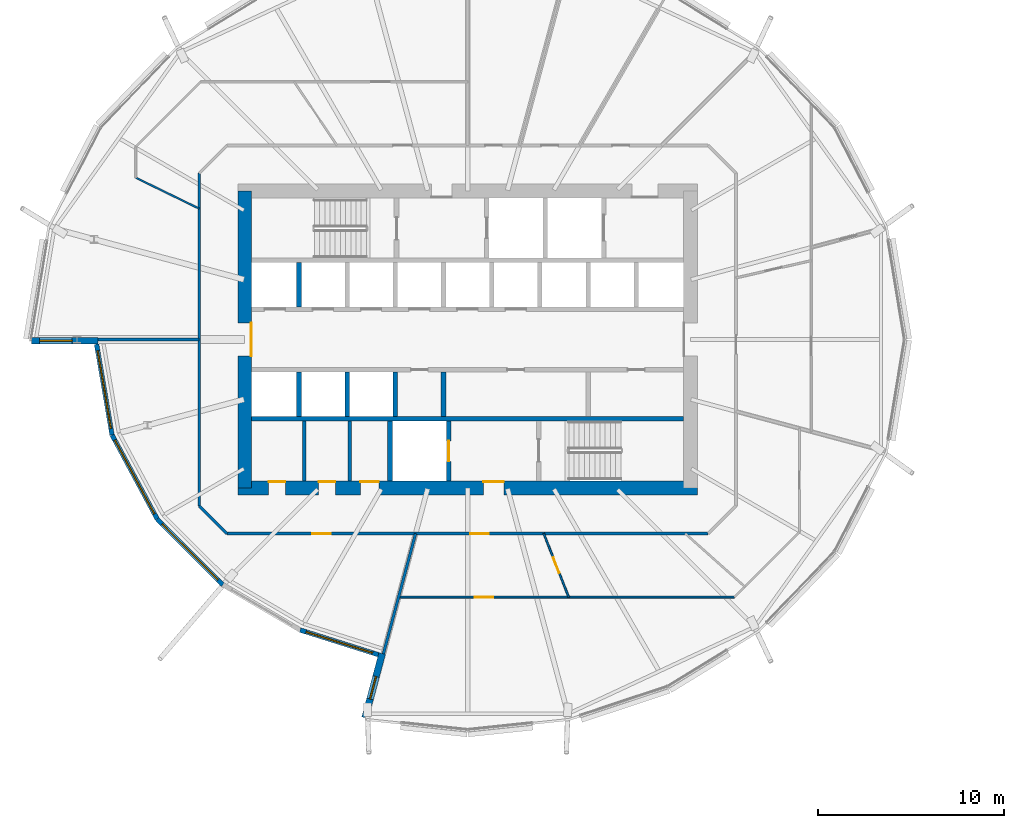
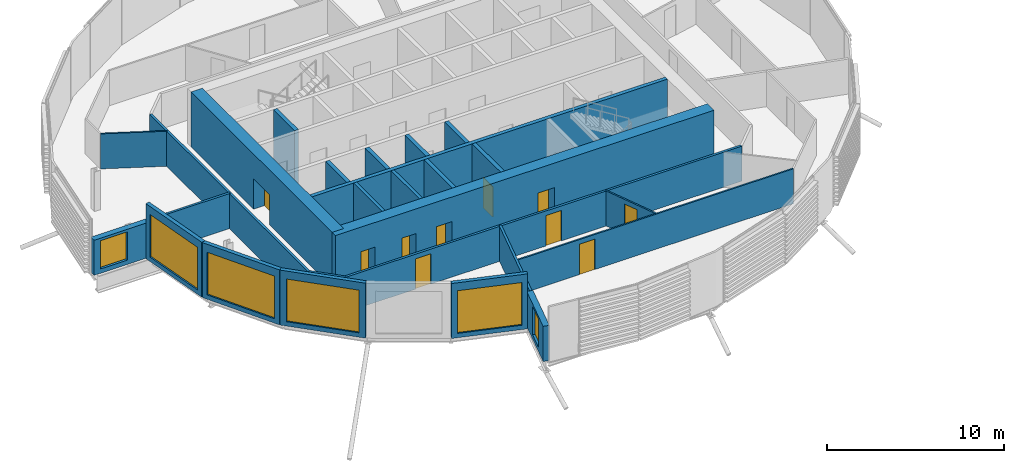
# One storey, part 20 of 39: 26 walls, 10 doors, 6 windows, 16 openings.
"""IFC4 building model written with IfcOpenShell, lengths in metres."""

from ifc_helpers import new_model, si_unit, direction, frame, frame_2d, origin, place, context, subcontext, project, spatial, rectangle, extrude, material, layer, layer_set, type_object, element, fill, save


model = new_model("IFC4")

# Units and contexts
model_context = context("Model", 3, precision=1e-05, world=origin(), true_north=direction((0.0, 1.0)))
body_context = subcontext(model_context, "Body", "Model", "MODEL_VIEW")
ifc_project = project(units=[si_unit("LENGTHUNIT", "METRE"), si_unit("AREAUNIT", "SQUARE_METRE"), si_unit("VOLUMEUNIT", "CUBIC_METRE"), si_unit("PLANEANGLEUNIT", "RADIAN"), si_unit("MASSUNIT", "GRAM", prefix="KILO")], contexts=[model_context])

# Site, building, storey
site_placement = place(None, origin())
site = spatial("IfcSite", under=ifc_project, at=site_placement, CompositionType="ELEMENT")
building_placement = place(site_placement, origin())
building = spatial("IfcBuilding", under=site, at=building_placement, Name="Rimbun Link Towers", CompositionType="ELEMENT")
storey_placement = place(building_placement, frame((0.0, 0.0, 96.800048828125)))
storey = spatial("IfcBuildingStorey", under=building, at=storey_placement, Name="L23", CompositionType="ELEMENT", Elevation=96.800048828125)

# Wall, opening, window
ifc_material_1 = material(Name="Dark enamelled glass spandrel on insulated aluminium backpan", Category="aluminium")
ifc_layer_1 = layer(ifc_material_1, 0.25)
ifc_layer_set_1 = layer_set([ifc_layer_1], Name="CS dark enamelled spandrel wall 250")
wall_type_1 = type_object("IfcWallType", Name="CS dark enamelled spandrel wall 250", PredefinedType="STANDARD", material=ifc_layer_set_1)
wall_1_placement = place(storey_placement, frame((-50.895263671875, -5.13916015625, 0.0), z_axis=(0.0, 0.0, 1.0), x_axis=(-0.168005969371, 0.985785977916, 0.0)))
wall_1 = element("IfcWall", 1, at=wall_1_placement, inside=storey, type_object=wall_type_1, Name="Crease spandrel wall", PredefinedType="STANDARD", context=body_context, shape_type="SweptSolid", body=[
    extrude(rectangle(XDim=4.959716796875, YDim=0.25, at=frame_2d((2.47998046875, 0.0))), origin(), (0.0, 0.0, 1.0), 3.800048828125),
])
opening_1_placement = place(wall_1_placement, frame((0.354736328125, 0.0, 0.300048828125)))
opening_1 = element("IfcOpeningElement", 2, at=opening_1_placement, cuts=wall_1, Name="Opening WR42H295", PredefinedType="OPENING", context=body_context, shape_type="SweptSolid", body=[
    extrude(rectangle(XDim=4.25, YDim=2.949951171875, at=frame_2d((2.125, 1.47509765625))), frame((0.0, 0.135009765625, 0.0), z_axis=(0.0, -1.0, 0.0), x_axis=(1.0, 0.0, 0.0)), (0.0, 0.0, 1.0), 0.27001953125),
])
ifc_material_2 = material(Name="Aluminium framed fixed window, dark tinted low-e glass", Category="aluminium")
window_type_1 = type_object("IfcWindowType", Name="WR ribbon window 4250X2950", PartitioningType="SINGLE_PANEL", PredefinedType="WINDOW", material=ifc_material_2)
window_1_placement = place(opening_1_placement, origin())
window_1 = element("IfcWindow", 3, at=window_1_placement, inside=storey, type_object=window_type_1, Name="Crease ribbon window", OverallHeight=2.949951171875, OverallWidth=4.25, PartitioningType="SINGLE_PANEL", PredefinedType="WINDOW", context=body_context, shape_type="SweptSolid", body=[
    extrude(rectangle(XDim=4.25, YDim=2.949951171875, at=frame_2d((2.125, 1.47509765625))), frame((0.0, 0.030029296875, 0.0), z_axis=(0.0, -1.0, 0.0), x_axis=(1.0, 0.0, 0.0)), (0.0, 0.0, 1.0), 0.06005859375),
])
fill(opening_1, window_1)

wall_2_placement = place(storey_placement, frame((-48.462646484375, -9.665771484375, 0.0), z_axis=(0.0, 0.0, 1.0), x_axis=(-0.47337722528, 0.880859808702, 0.0)))
wall_2 = element("IfcWall", 4, at=wall_2_placement, inside=storey, type_object=wall_type_1, Name="Crease spandrel wall", PredefinedType="STANDARD", context=body_context, shape_type="SweptSolid", body=[
    extrude(rectangle(XDim=5.138916015625, YDim=0.25, at=frame_2d((2.5693359375, 0.0))), origin(), (0.0, 0.0, 1.0), 3.800048828125),
])
opening_2_placement = place(wall_2_placement, frame((0.319580078125, 0.0, 0.300048828125)))
opening_2 = element("IfcOpeningElement", 5, at=opening_2_placement, cuts=wall_2, Name="Opening WR45H295", PredefinedType="OPENING", context=body_context, shape_type="SweptSolid", body=[
    extrude(rectangle(XDim=4.5, YDim=2.949951171875, at=frame_2d((2.25, 1.47509765625))), frame((0.0, 0.135009765625, 0.0), z_axis=(0.0, -1.0, 0.0), x_axis=(1.0, 0.0, 0.0)), (0.0, 0.0, 1.0), 0.27001953125),
])
ifc_material_3 = material(Name="Aluminium framed fixed window, dark tinted low-e glass", Category="aluminium")
window_type_2 = type_object("IfcWindowType", Name="WR ribbon window 4500X2950", PartitioningType="SINGLE_PANEL", PredefinedType="WINDOW", material=ifc_material_3)
window_2_placement = place(opening_2_placement, origin())
window_2 = element("IfcWindow", 6, at=window_2_placement, inside=storey, type_object=window_type_2, Name="Crease ribbon window", OverallHeight=2.949951171875, OverallWidth=4.5, PartitioningType="SINGLE_PANEL", PredefinedType="WINDOW", context=body_context, shape_type="SweptSolid", body=[
    extrude(rectangle(XDim=4.5, YDim=2.949951171875, at=frame_2d((2.25, 1.47509765625))), frame((0.0, 0.030029296875, 0.0), z_axis=(0.0, -1.0, 0.0), x_axis=(1.0, 0.0, 0.0)), (0.0, 0.0, 1.0), 0.06005859375),
])
fill(opening_2, window_2)

wall_3_placement = place(storey_placement, frame((-44.928955078125, -13.20166015625, 0.0), z_axis=(0.0, 0.0, 1.0), x_axis=(-0.706886974242, 0.707326519825, 0.0)))
wall_3 = element("IfcWall", 7, at=wall_3_placement, inside=storey, type_object=wall_type_1, Name="Crease spandrel wall", PredefinedType="STANDARD", context=body_context, shape_type="SweptSolid", body=[
    extrude(rectangle(XDim=4.9990234375, YDim=0.25, at=frame_2d((2.49951171875, 0.0))), origin(), (0.0, 0.0, 1.0), 3.800048828125),
])
opening_3_placement = place(wall_3_placement, frame((0.37451171875, 0.0, 0.300048828125)))
opening_3 = element("IfcOpeningElement", 8, at=opening_3_placement, cuts=wall_3, Name="Opening WR42H295", PredefinedType="OPENING", context=body_context, shape_type="SweptSolid", body=[
    extrude(rectangle(XDim=4.25, YDim=2.949951171875, at=frame_2d((2.125, 1.47509765625))), frame((0.0, 0.135009765625, 0.0), z_axis=(0.0, -1.0, 0.0), x_axis=(1.0, 0.0, 0.0)), (0.0, 0.0, 1.0), 0.27001953125),
])
window_3_placement = place(opening_3_placement, origin())
window_3 = element("IfcWindow", 9, at=window_3_placement, inside=storey, type_object=window_type_1, Name="Crease ribbon window", OverallHeight=2.949951171875, OverallWidth=4.25, PartitioningType="SINGLE_PANEL", PredefinedType="WINDOW", context=body_context, shape_type="SweptSolid", body=[
    extrude(rectangle(XDim=4.25, YDim=2.949951171875, at=frame_2d((2.125, 1.47509765625))), frame((0.0, 0.030029296875, 0.0), z_axis=(0.0, -1.0, 0.0), x_axis=(1.0, 0.0, 0.0)), (0.0, 0.0, 1.0), 0.06005859375),
])
fill(opening_3, window_3)

wall_4_placement = place(storey_placement, frame((-36.555908203125, -16.9697265625, 0.0), z_axis=(0.0, 0.0, 1.0), x_axis=(-0.953753862177, 0.300588706346, 0.0)))
wall_4 = element("IfcWall", 10, at=wall_4_placement, inside=storey, type_object=wall_type_1, Name="Crease spandrel wall", PredefinedType="STANDARD", context=body_context, shape_type="SweptSolid", body=[
    extrude(rectangle(XDim=4.414306640625, YDim=0.25, at=frame_2d((2.20703125, 0.0))), origin(), (0.0, 0.0, 1.0), 3.800048828125),
])
opening_4_placement = place(wall_4_placement, frame((0.332275390625, 0.0, 0.300048828125)))
opening_4 = element("IfcOpeningElement", 11, at=opening_4_placement, cuts=wall_4, Name="Opening WR38H295", PredefinedType="OPENING", context=body_context, shape_type="SweptSolid", body=[
    extrude(rectangle(XDim=3.75, YDim=2.949951171875, at=frame_2d((1.875, 1.47509765625))), frame((0.0, 0.135009765625, 0.0), z_axis=(0.0, -1.0, 0.0), x_axis=(1.0, 0.0, 0.0)), (0.0, 0.0, 1.0), 0.27001953125),
])
ifc_material_4 = material(Name="Aluminium framed fixed window, dark tinted low-e glass", Category="aluminium")
window_type_3 = type_object("IfcWindowType", Name="WR ribbon window 3750X2950", PartitioningType="SINGLE_PANEL", PredefinedType="WINDOW", material=ifc_material_4)
window_4_placement = place(opening_4_placement, origin())
window_4 = element("IfcWindow", 12, at=window_4_placement, inside=storey, type_object=window_type_3, Name="Crease ribbon window", OverallHeight=2.949951171875, OverallWidth=3.75, PartitioningType="SINGLE_PANEL", PredefinedType="WINDOW", context=body_context, shape_type="SweptSolid", body=[
    extrude(rectangle(XDim=3.75, YDim=2.949951171875, at=frame_2d((1.875, 1.47509765625))), frame((0.0, 0.030029296875, 0.0), z_axis=(0.0, -1.0, 0.0), x_axis=(1.0, 0.0, 0.0)), (0.0, 0.0, 1.0), 0.06005859375),
])
fill(opening_4, window_4)

ifc_material_5 = material(Name="Dark enamelled glass spandrel on insulated aluminium backpan", Category="aluminium")
ifc_layer_2 = layer(ifc_material_5, 0.3701171875)
ifc_layer_set_2 = layer_set([ifc_layer_2], Name="CS dark enamelled spandrel wall 370")
wall_type_2 = type_object("IfcWallType", Name="CS dark enamelled spandrel wall 370", PredefinedType="STANDARD", material=ifc_layer_set_2)
wall_5_placement = place(storey_placement, frame((-51.644287109375, -0.06494140625, 0.0), z_axis=(0.0, 0.0, 1.0), x_axis=(-1.0, 0.0, 0.0)))
wall_5 = element("IfcWall", 13, at=wall_5_placement, inside=storey, type_object=wall_type_2, Name="Crease spandrel wall", PredefinedType="STANDARD", context=body_context, shape_type="SweptSolid", body=[
    extrude(rectangle(XDim=3.580078125, YDim=0.3701171875, at=frame_2d((1.7900390625, 0.0))), origin(), (0.0, 0.0, 1.0), 2.429931640625),
])
opening_5_placement = place(wall_5_placement, frame((1.3974609375, 0.0, 0.300048828125)))
opening_5 = element("IfcOpeningElement", 14, at=opening_5_placement, cuts=wall_5, Name="Opening WR18H195", PredefinedType="OPENING", context=body_context, shape_type="SweptSolid", body=[
    extrude(rectangle(XDim=1.75, YDim=1.949951171875, at=frame_2d((0.875, 0.97509765625))), frame((0.0, 0.195068359375, 0.0), z_axis=(0.0, -1.0, 0.0), x_axis=(1.0, 0.0, 0.0)), (0.0, 0.0, 1.0), 0.39013671875),
])
ifc_material_6 = material(Name="Aluminium framed fixed window, dark tinted low-e glass", Category="aluminium")
window_type_4 = type_object("IfcWindowType", Name="WR ribbon window 1750X1950", PartitioningType="SINGLE_PANEL", PredefinedType="WINDOW", material=ifc_material_6)
window_5_placement = place(opening_5_placement, origin())
window_5 = element("IfcWindow", 15, at=window_5_placement, inside=storey, type_object=window_type_4, Name="Crease ribbon window", OverallHeight=1.949951171875, OverallWidth=1.75, PartitioningType="SINGLE_PANEL", PredefinedType="WINDOW", context=body_context, shape_type="SweptSolid", body=[
    extrude(rectangle(XDim=1.75, YDim=1.949951171875, at=frame_2d((0.875, 0.97509765625))), frame((0.0, 0.030029296875, 0.0), z_axis=(0.0, -1.0, 0.0), x_axis=(1.0, 0.0, 0.0)), (0.0, 0.0, 1.0), 0.06005859375),
])
fill(opening_5, window_5)

wall_6_placement = place(storey_placement, frame((-37.274169921875, -20.365234375, 0.0), z_axis=(0.0, 0.0, 1.0), x_axis=(0.258804260405, 0.965929787715, 0.0)))
wall_6 = element("IfcWall", 16, at=wall_6_placement, inside=storey, type_object=wall_type_2, Name="Crease spandrel wall", PredefinedType="STANDARD", context=body_context, shape_type="SweptSolid", body=[
    extrude(rectangle(XDim=3.580078125, YDim=0.3701171875, at=frame_2d((1.7900390625, 0.0))), origin(), (0.0, 0.0, 1.0), 2.429931640625),
])
opening_6_placement = place(wall_6_placement, frame((1.047119140625, 0.0, 0.300048828125)))
opening_6 = element("IfcOpeningElement", 17, at=opening_6_placement, cuts=wall_6, Name="Opening WR12H195", PredefinedType="OPENING", context=body_context, shape_type="SweptSolid", body=[
    extrude(rectangle(XDim=1.25, YDim=1.949951171875, at=frame_2d((0.625, 0.97509765625))), frame((0.0, 0.195068359375, 0.0), z_axis=(0.0, -1.0, 0.0), x_axis=(1.0, 0.0, 0.0)), (0.0, 0.0, 1.0), 0.39013671875),
])
ifc_material_7 = material(Name="Aluminium framed fixed window, dark tinted low-e glass", Category="aluminium")
window_type_5 = type_object("IfcWindowType", Name="WR ribbon window 1250X1950", PartitioningType="SINGLE_PANEL", PredefinedType="WINDOW", material=ifc_material_7)
window_6_placement = place(opening_6_placement, origin())
window_6 = element("IfcWindow", 18, at=window_6_placement, inside=storey, type_object=window_type_5, Name="Crease ribbon window", OverallHeight=1.949951171875, OverallWidth=1.25, PartitioningType="SINGLE_PANEL", PredefinedType="WINDOW", context=body_context, shape_type="SweptSolid", body=[
    extrude(rectangle(XDim=1.25, YDim=1.949951171875, at=frame_2d((0.625, 0.97509765625))), frame((0.0, 0.030029296875, 0.0), z_axis=(0.0, -1.0, 0.0), x_axis=(1.0, 0.0, 0.0)), (0.0, 0.0, 1.0), 0.06005859375),
])
fill(opening_6, window_6)

# Walls
ifc_material_8 = material(Name="Masonry blockwork", Category="masonry")
ifc_layer_3 = layer(ifc_material_8, 0.199951171875)
ifc_layer_set_3 = layer_set([ifc_layer_3], Name="Core partition 200")
wall_type_3 = type_object("IfcWallType", Name="Core partition 200", PredefinedType="PARTITIONING", material=ifc_layer_set_3)
for number, where, z_axis, x_axis, name in (
    (19, (-40.550048828125, -4.39990234375, 0.0), (0.0, 0.0, 1.0), (0.0, -1.0, 0.0), "L23 T1 core wall C1"),
    (20, (-38.10009765625, -4.39990234375, 0.0), (0.0, 0.0, 1.0), (0.0, -1.0, 0.0), "L23 T1 core wall C2"),
):
    element("IfcWall", number, at=place(storey_placement, frame(where, z_axis=z_axis, x_axis=x_axis)), inside=storey, type_object=wall_type_3, Name=name, PredefinedType="PARTITIONING", context=body_context, shape_type="SweptSolid", body=[
        extrude(rectangle(XDim=3.22509765625, YDim=0.199951171875, at=frame_2d((1.612548828125, 0.0))), origin(), (0.0, 0.0, 1.0), 3.800048828125),
    ])

# Wall, openings, doors
ifc_material_9 = material(Name="Concrete C60/75", Category="concrete")
ifc_layer_4 = layer(ifc_material_9, 0.75)
ifc_layer_set_4 = layer_set([ifc_layer_4], Name="Core shear wall 750")
wall_type_4 = type_object("IfcWallType", Name="Core shear wall 750", PredefinedType="SHEAR", material=ifc_layer_set_4)
wall_7_placement = place(storey_placement, frame((-44.125, -8.0, 0.0), z_axis=(0.0, 0.0, 1.0), x_axis=(1.0, 0.0, 0.0)))
wall_7 = element("IfcWall", 21, at=wall_7_placement, inside=storey, type_object=wall_type_4, Name="L23 T1 core wall S", PredefinedType="SHEAR", context=body_context, shape_type="SweptSolid", body=[
    extrude(rectangle(XDim=24.75, YDim=0.75, at=frame_2d((12.375, 0.0))), origin(), (0.0, 0.0, 1.0), 3.800048828125),
])
opening_7_placement = place(wall_7_placement, frame((13.22509765625, 0.0, 0.0)))
opening_7 = element("IfcOpeningElement", 22, at=opening_7_placement, cuts=wall_7, Name="Opening C1DCF01S", PredefinedType="OPENING", context=body_context, shape_type="SweptSolid", body=[
    extrude(rectangle(XDim=1.10009765625, YDim=2.10009765625, at=frame_2d((0.550048828125, 1.050048828125))), frame((0.0, 0.385009765625, 0.0), z_axis=(0.0, -1.0, 0.0), x_axis=(1.0, 0.0, 0.0)), (0.0, 0.0, 1.0), 0.77001953125),
])
opening_8_placement = place(wall_7_placement, frame((1.66259765625, 0.0, 0.0)))
opening_8 = element("IfcOpeningElement", 23, at=opening_8_placement, cuts=wall_7, Name="Opening C1DWC02S", PredefinedType="OPENING", context=body_context, shape_type="SweptSolid", body=[
    extrude(rectangle(XDim=0.89990234375, YDim=2.10009765625, at=frame_2d((0.449951171875, 1.050048828125))), frame((0.0, 0.385009765625, 0.0), z_axis=(0.0, -1.0, 0.0), x_axis=(1.0, 0.0, 0.0)), (0.0, 0.0, 1.0), 0.77001953125),
])
opening_9_placement = place(wall_7_placement, frame((4.35009765625, 0.0, 0.0)))
opening_9 = element("IfcOpeningElement", 24, at=opening_9_placement, cuts=wall_7, Name="Opening C1DWC03S", PredefinedType="OPENING", context=body_context, shape_type="SweptSolid", body=[
    extrude(rectangle(XDim=0.89990234375, YDim=2.10009765625, at=frame_2d((0.449951171875, 1.050048828125))), frame((0.0, 0.385009765625, 0.0), z_axis=(0.0, -1.0, 0.0), x_axis=(1.0, 0.0, 0.0)), (0.0, 0.0, 1.0), 0.77001953125),
])
opening_10_placement = place(wall_7_placement, frame((6.60009765625, 0.0, 0.0)))
opening_10 = element("IfcOpeningElement", 25, at=opening_10_placement, cuts=wall_7, Name="Opening C1DAW04S", PredefinedType="OPENING", context=body_context, shape_type="SweptSolid", body=[
    extrude(rectangle(XDim=1.0, YDim=2.10009765625, at=frame_2d((0.5, 1.050048828125))), frame((0.0, 0.385009765625, 0.0), z_axis=(0.0, -1.0, 0.0), x_axis=(1.0, 0.0, 0.0)), (0.0, 0.0, 1.0), 0.77001953125),
])
ifc_material_10 = material(Name="Timber", Category="wood")
door_type_1 = type_object("IfcDoorType", Name="Accessible WC door", OperationType="SINGLE_SWING_LEFT", PredefinedType="DOOR", material=ifc_material_10)
door_1_placement = place(opening_10_placement, origin())
door_1 = element("IfcDoor", 26, at=door_1_placement, inside=storey, type_object=door_type_1, Name="L23 T1 accessible wc door", OperationType="SINGLE_SWING_RIGHT", OverallHeight=2.10009765625, OverallWidth=1.0, PredefinedType="DOOR", context=body_context, shape_type="SweptSolid", body=[
    extrude(rectangle(XDim=1.0, YDim=2.10009765625, at=frame_2d((0.5, 1.050048828125))), frame((0.0, 0.375, 0.0), z_axis=(0.0, -1.0, 0.0), x_axis=(1.0, 0.0, 0.0)), (0.0, 0.0, 1.0), 0.050048828125),
])
fill(opening_10, door_1)
ifc_material_11 = material(Name="Steel fire door set", Category="steel")
door_type_2 = type_object("IfcDoorType", Name="Core fire door single", OperationType="SINGLE_SWING_LEFT", PredefinedType="DOOR", material=ifc_material_11)
door_2_placement = place(opening_7_placement, origin())
door_2 = element("IfcDoor", 27, at=door_2_placement, inside=storey, type_object=door_type_2, Name="L23 T1 firefighting lobby s door", OperationType="SINGLE_SWING_RIGHT", OverallHeight=2.10009765625, OverallWidth=1.10009765625, PredefinedType="DOOR", context=body_context, shape_type="SweptSolid", body=[
    extrude(rectangle(XDim=1.10009765625, YDim=2.10009765625, at=frame_2d((0.550048828125, 1.050048828125))), frame((0.0, 0.375, 0.0), z_axis=(0.0, -1.0, 0.0), x_axis=(1.0, 0.0, 0.0)), (0.0, 0.0, 1.0), 0.050048828125),
])
fill(opening_7, door_2)
ifc_material_12 = material(Name="Timber", Category="wood")
door_type_3 = type_object("IfcDoorType", Name="WC door", OperationType="SINGLE_SWING_LEFT", PredefinedType="DOOR", material=ifc_material_12)
door_3_placement = place(opening_8_placement, origin())
door_3 = element("IfcDoor", 28, at=door_3_placement, inside=storey, type_object=door_type_3, Name="L23 T1 male wc door", OperationType="SINGLE_SWING_RIGHT", OverallHeight=2.10009765625, OverallWidth=0.89990234375, PredefinedType="DOOR", context=body_context, shape_type="SweptSolid", body=[
    extrude(rectangle(XDim=0.89990234375, YDim=2.10009765625, at=frame_2d((0.449951171875, 1.050048828125))), frame((0.0, 0.375, 0.0), z_axis=(0.0, -1.0, 0.0), x_axis=(1.0, 0.0, 0.0)), (0.0, 0.0, 1.0), 0.050048828125),
])
fill(opening_8, door_3)
door_4_placement = place(opening_9_placement, origin())
door_4 = element("IfcDoor", 29, at=door_4_placement, inside=storey, type_object=door_type_3, Name="L23 T1 female wc door", OperationType="SINGLE_SWING_LEFT", OverallHeight=2.10009765625, OverallWidth=0.89990234375, PredefinedType="DOOR", context=body_context, shape_type="SweptSolid", body=[
    extrude(rectangle(XDim=0.89990234375, YDim=2.10009765625, at=frame_2d((0.449951171875, 1.050048828125))), frame((0.0, 0.375, 0.0), z_axis=(0.0, -1.0, 0.0), x_axis=(1.0, 0.0, 0.0)), (0.0, 0.0, 1.0), 0.050048828125),
])
fill(opening_9, door_4)

# Wall, opening, door
wall_8_placement = place(storey_placement, frame((-43.75, -8.0, 0.0), z_axis=(0.0, 0.0, 1.0), x_axis=(0.0, 1.0, 0.0)))
wall_8 = element("IfcWall", 30, at=wall_8_placement, inside=storey, type_object=wall_type_4, Name="L23 T1 core wall W", PredefinedType="SHEAR", context=body_context, shape_type="SweptSolid", body=[
    extrude(rectangle(XDim=16.0, YDim=0.75, at=frame_2d((8.0, 0.0))), origin(), (0.0, 0.0, 1.0), 3.800048828125),
])
opening_11_placement = place(wall_8_placement, frame((7.10009765625, 0.0, 0.0)))
opening_11 = element("IfcOpeningElement", 31, at=opening_11_placement, cuts=wall_8, Name="Opening C1DCL01W", PredefinedType="OPENING", context=body_context, shape_type="SweptSolid", body=[
    extrude(rectangle(XDim=1.800048828125, YDim=2.10009765625, at=frame_2d((0.89990234375, 1.050048828125))), frame((0.0, 0.385009765625, 0.0), z_axis=(0.0, -1.0, 0.0), x_axis=(1.0, 0.0, 0.0)), (0.0, 0.0, 1.0), 0.77001953125),
])
ifc_material_13 = material(Name="Steel fire door set", Category="steel")
door_type_4 = type_object("IfcDoorType", Name="Core lobby door double", OperationType="DOUBLE_DOOR_SINGLE_SWING", PredefinedType="DOOR", material=ifc_material_13)
door_5_placement = place(opening_11_placement, origin())
door_5 = element("IfcDoor", 32, at=door_5_placement, inside=storey, type_object=door_type_4, Name="L23 T1 lift lobby door", OperationType="DOUBLE_DOOR_SINGLE_SWING", OverallHeight=2.10009765625, OverallWidth=1.800048828125, PredefinedType="DOOR", context=body_context, shape_type="SweptSolid", body=[
    extrude(rectangle(XDim=1.800048828125, YDim=2.10009765625, at=frame_2d((0.89990234375, 1.050048828125))), frame((0.0, -0.3251953125, 0.0), z_axis=(0.0, -1.0, 0.0), x_axis=(1.0, 0.0, 0.0)), (0.0, 0.0, 1.0), 0.050048828125),
])
fill(opening_11, door_5)

# Wall, openings, doors
ifc_material_14 = material(Name="Plasterboard on steel stud, mineral wool", Category="steel")
ifc_layer_5 = layer(ifc_material_14, 0.14990234375)
ifc_layer_set_5 = layer_set([ifc_layer_5], Name="Corridor wall EI 30 150 mm")
wall_type_5 = type_object("IfcWallType", Name="Corridor wall EI 30 150 mm", PredefinedType="PARTITIONING", material=ifc_layer_set_5)
wall_9_placement = place(storey_placement, frame((-18.79833984375, -10.449951171875, 0.0), z_axis=(0.0, 0.0, 1.0), x_axis=(-1.0, 0.0, 0.0)))
wall_9 = element("IfcWall", 33, at=wall_9_placement, inside=storey, type_object=wall_type_5, Name="Corridor wall EI 30 150 mm", PredefinedType="PARTITIONING", context=body_context, shape_type="SweptSolid", body=[
    extrude(rectangle(XDim=25.9033203125, YDim=0.14990234375, at=frame_2d((12.95166015625, 0.0))), origin(), (0.0, 0.0, 1.0), 2.419921875),
])
opening_12_placement = place(wall_9_placement, frame((11.80126953125, 0.0, 0.0)))
opening_12 = element("IfcOpeningElement", 34, at=opening_12_placement, cuts=wall_9, Name="Opening D01", PredefinedType="OPENING", context=body_context, shape_type="SweptSolid", body=[
    extrude(rectangle(XDim=1.0, YDim=2.10009765625, at=frame_2d((0.5, 1.050048828125))), frame((0.0, 0.0849609375, 0.0), z_axis=(0.0, -1.0, 0.0), x_axis=(1.0, 0.0, 0.0)), (0.0, 0.0, 1.0), 0.169921875),
])
opening_13_placement = place(wall_9_placement, frame((20.32763671875, 0.0, 0.0)))
opening_13 = element("IfcOpeningElement", 35, at=opening_13_placement, cuts=wall_9, Name="Opening D01", PredefinedType="OPENING", context=body_context, shape_type="SweptSolid", body=[
    extrude(rectangle(XDim=1.0, YDim=2.10009765625, at=frame_2d((0.5, 1.050048828125))), frame((0.0, 0.0849609375, 0.0), z_axis=(0.0, -1.0, 0.0), x_axis=(1.0, 0.0, 0.0)), (0.0, 0.0, 1.0), 0.169921875),
])
ifc_material_15 = material(Name="Fire-resisting timber door leaf", Category="wood")
door_type_5 = type_object("IfcDoorType", Name="Fire door FD30S 1000", OperationType="NOTDEFINED", PredefinedType="DOOR", material=ifc_material_15)
door_6_placement = place(opening_12_placement, origin())
door_6 = element("IfcDoor", 36, at=door_6_placement, inside=storey, type_object=door_type_5, Name="Fire door FD30S 1000 to Reception", OperationType="SINGLE_SWING_LEFT", OverallHeight=2.10009765625, OverallWidth=1.0, PredefinedType="DOOR", context=body_context, shape_type="SweptSolid", body=[
    extrude(rectangle(XDim=1.0, YDim=2.10009765625, at=frame_2d((0.5, 1.050048828125))), frame((0.0, 0.02490234375, 0.0), z_axis=(0.0, -1.0, 0.0), x_axis=(1.0, 0.0, 0.0)), (0.0, 0.0, 1.0), 0.050048828125),
])
fill(opening_12, door_6)
door_7_placement = place(opening_13_placement, origin())
door_7 = element("IfcDoor", 37, at=door_7_placement, inside=storey, type_object=door_type_5, Name="Fire door FD30S 1000 to Terrace office", OperationType="SINGLE_SWING_LEFT", OverallHeight=2.10009765625, OverallWidth=1.0, PredefinedType="DOOR", context=body_context, shape_type="SweptSolid", body=[
    extrude(rectangle(XDim=1.0, YDim=2.10009765625, at=frame_2d((0.5, 1.050048828125))), frame((0.0, 0.02490234375, 0.0), z_axis=(0.0, -1.0, 0.0), x_axis=(1.0, 0.0, 0.0)), (0.0, 0.0, 1.0), 0.050048828125),
])
fill(opening_13, door_7)

# Walls
wall_10_placement = place(storey_placement, frame((-46.199951171875, -8.95166015625, 0.0), z_axis=(0.0, 0.0, 1.0), x_axis=(0.707106781187, -0.707106781187, 0.0)))
element("IfcWall", 38, at=wall_10_placement, inside=storey, type_object=wall_type_5, Name="Corridor wall EI 30 150 mm", PredefinedType="PARTITIONING", context=body_context, shape_type="SweptSolid", body=[
    extrude(rectangle(XDim=2.118896484375, YDim=0.14990234375, at=frame_2d((1.0595703125, 0.0))), origin(), (0.0, 0.0, 1.0), 2.419921875),
])
wall_11_placement = place(storey_placement, frame((-46.199951171875, 8.95166015625, 0.0), z_axis=(0.0, 0.0, 1.0), x_axis=(0.0, -1.0, 0.0)))
element("IfcWall", 39, at=wall_11_placement, inside=storey, type_object=wall_type_5, Name="Corridor wall EI 30 150 mm", PredefinedType="PARTITIONING", context=body_context, shape_type="SweptSolid", body=[
    extrude(rectangle(XDim=17.9033203125, YDim=0.14990234375, at=frame_2d((8.95166015625, 0.0))), origin(), (0.0, 0.0, 1.0), 2.419921875),
])

# Wall, opening, door
ifc_material_16 = material(Name="Plasterboard on steel stud", Category="steel")
ifc_layer_6 = layer(ifc_material_16, 0.10009765625)
ifc_layer_set_6 = layer_set([ifc_layer_6], Name="Plasterboard partition 100 mm")
wall_type_6 = type_object("IfcWallType", Name="Plasterboard partition 100 mm", PredefinedType="PARTITIONING", material=ifc_layer_set_6)
wall_12_placement = place(storey_placement, frame((-27.648681640625, -10.449951171875, 0.0), z_axis=(0.0, 0.0, 1.0), x_axis=(0.365276110252, -0.930899222945, 0.0)))
wall_12 = element("IfcWall", 40, at=wall_12_placement, inside=storey, type_object=wall_type_6, Name="Plasterboard partition 100 mm", PredefinedType="PARTITIONING", context=body_context, shape_type="SweptSolid", body=[
    extrude(rectangle(XDim=3.674072265625, YDim=0.10009765625, at=frame_2d((1.8369140625, 0.0))), origin(), (0.0, 0.0, 1.0), 2.419921875),
])
opening_14_placement = place(wall_12_placement, frame((1.386962890625, 0.0, 0.0)))
opening_14 = element("IfcOpeningElement", 41, at=opening_14_placement, cuts=wall_12, Name="Opening D04", PredefinedType="OPENING", context=body_context, shape_type="SweptSolid", body=[
    extrude(rectangle(XDim=0.89990234375, YDim=2.10009765625, at=frame_2d((0.449951171875, 1.050048828125))), frame((0.0, 0.06005859375, 0.0), z_axis=(0.0, -1.0, 0.0), x_axis=(1.0, 0.0, 0.0)), (0.0, 0.0, 1.0), 0.1201171875),
])
ifc_material_17 = material(Name="Timber door leaf", Category="wood")
door_type_6 = type_object("IfcDoorType", Name="Flush door 900", OperationType="NOTDEFINED", PredefinedType="DOOR", material=ifc_material_17)
door_8_placement = place(opening_14_placement, origin())
door_8 = element("IfcDoor", 42, at=door_8_placement, inside=storey, type_object=door_type_6, Name="Flush door 900 to Meeting room", OperationType="SINGLE_SWING_RIGHT", OverallHeight=2.10009765625, OverallWidth=0.89990234375, PredefinedType="DOOR", context=body_context, shape_type="SweptSolid", body=[
    extrude(rectangle(XDim=0.89990234375, YDim=2.10009765625, at=frame_2d((0.449951171875, 1.050048828125))), frame((0.0, 0.02490234375, 0.0), z_axis=(0.0, -1.0, 0.0), x_axis=(1.0, 0.0, 0.0)), (0.0, 0.0, 1.0), 0.050048828125),
])
fill(opening_14, door_8)

wall_13_placement = place(storey_placement, frame((-17.381591796875, -13.8701171875, 0.0), z_axis=(0.0, 0.0, 1.0), x_axis=(-1.0, 0.0, 0.0)))
wall_13 = element("IfcWall", 43, at=wall_13_placement, inside=storey, type_object=wall_type_6, Name="Plasterboard partition 100 mm", PredefinedType="PARTITIONING", context=body_context, shape_type="SweptSolid", body=[
    extrude(rectangle(XDim=18.084716796875, YDim=0.10009765625, at=frame_2d((9.04248046875, 0.0))), origin(), (0.0, 0.0, 1.0), 2.419921875),
])
opening_15_placement = place(wall_13_placement, frame((12.989990234375, 0.0, 0.0)))
opening_15 = element("IfcOpeningElement", 44, at=opening_15_placement, cuts=wall_13, Name="Opening D03", PredefinedType="OPENING", context=body_context, shape_type="SweptSolid", body=[
    extrude(rectangle(XDim=1.0, YDim=2.10009765625, at=frame_2d((0.5, 1.050048828125))), frame((0.0, 0.06005859375, 0.0), z_axis=(0.0, -1.0, 0.0), x_axis=(1.0, 0.0, 0.0)), (0.0, 0.0, 1.0), 0.1201171875),
])
ifc_material_18 = material(Name="Timber door leaf", Category="wood")
door_type_7 = type_object("IfcDoorType", Name="Flush door 1000", OperationType="NOTDEFINED", PredefinedType="DOOR", material=ifc_material_18)
door_9_placement = place(opening_15_placement, origin())
door_9 = element("IfcDoor", 45, at=door_9_placement, inside=storey, type_object=door_type_7, Name="Flush door 1000 to Open office", OperationType="SINGLE_SWING_LEFT", OverallHeight=2.10009765625, OverallWidth=1.0, PredefinedType="DOOR", context=body_context, shape_type="SweptSolid", body=[
    extrude(rectangle(XDim=1.0, YDim=2.10009765625, at=frame_2d((0.5, 1.050048828125))), frame((0.0, 0.02490234375, 0.0), z_axis=(0.0, -1.0, 0.0), x_axis=(1.0, 0.0, 0.0)), (0.0, 0.0, 1.0), 0.050048828125),
])
fill(opening_15, door_9)

# Walls
wall_14_placement = place(storey_placement, frame((-49.6201171875, 8.712646484375, 0.0), z_axis=(0.0, 0.0, 1.0), x_axis=(0.898860924109, -0.438234000404, 0.0)))
element("IfcWall", 46, at=wall_14_placement, inside=storey, type_object=wall_type_6, Name="Plasterboard partition 100 mm", PredefinedType="PARTITIONING", context=body_context, shape_type="SweptSolid", body=[
    extrude(rectangle(XDim=3.804931640625, YDim=0.10009765625, at=frame_2d((1.90234375, 0.0))), origin(), (0.0, 0.0, 1.0), 2.419921875),
])
ifc_material_19 = material(Name="Concrete C60/75", Category="concrete")
ifc_layer_7 = layer(ifc_material_19, 0.25)
ifc_layer_set_7 = layer_set([ifc_layer_7], Name="Shaft wall 250")
wall_type_7 = type_object("IfcWallType", Name="Shaft wall 250", PredefinedType="SHEAR", material=ifc_layer_set_7)
wall_15_placement = place(storey_placement, frame((-43.375, -4.27490234375, 0.0), z_axis=(0.0, 0.0, 1.0), x_axis=(1.0, 0.0, 0.0)))
element("IfcWall", 47, at=wall_15_placement, inside=storey, type_object=wall_type_7, Name="L23 T1 core wall BS", PredefinedType="SHEAR", context=body_context, shape_type="SweptSolid", body=[
    extrude(rectangle(XDim=23.25, YDim=0.25, at=frame_2d((11.625, 0.0))), origin(), (0.0, 0.0, 1.0), 3.800048828125),
])
for number, where, z_axis, x_axis, name in (
    (48, (-40.83056640625, 1.75, 0.0), (0.0, 0.0, 1.0), (0.0, 1.0, 0.0), "L23 T1 core wall DN0"),
    (49, (-40.83056640625, -4.14990234375, 0.0), (0.0, 0.0, 1.0), (0.0, 1.0, 0.0), "L23 T1 core wall DS0"),
    (50, (-38.236083984375, -4.14990234375, 0.0), (0.0, 0.0, 1.0), (0.0, 1.0, 0.0), "L23 T1 core wall DS1"),
    (51, (-35.6416015625, -4.14990234375, 0.0), (0.0, 0.0, 1.0), (0.0, 1.0, 0.0), "L23 T1 core wall DS2"),
    (52, (-33.047119140625, -4.14990234375, 0.0), (0.0, 0.0, 1.0), (0.0, 1.0, 0.0), "L23 T1 core wall DS3"),
):
    element("IfcWall", number, at=place(storey_placement, frame(where, z_axis=z_axis, x_axis=x_axis)), inside=storey, type_object=wall_type_7, Name=name, PredefinedType="SHEAR", context=body_context, shape_type="SweptSolid", body=[
        extrude(rectangle(XDim=2.39990234375, YDim=0.25, at=frame_2d((1.199951171875, 0.0))), origin(), (0.0, 0.0, 1.0), 3.800048828125),
    ])

# Wall, opening, door
wall_16_placement = place(storey_placement, frame((-32.77490234375, -4.39990234375, 0.0), z_axis=(0.0, 0.0, 1.0), x_axis=(0.0, -1.0, 0.0)))
wall_16 = element("IfcWall", 53, at=wall_16_placement, inside=storey, type_object=wall_type_7, Name="L23 T1 core wall B2", PredefinedType="SHEAR", context=body_context, shape_type="SweptSolid", body=[
    extrude(rectangle(XDim=3.22509765625, YDim=0.25, at=frame_2d((1.612548828125, 0.0))), origin(), (0.0, 0.0, 1.0), 3.800048828125),
])
opening_16_placement = place(wall_16_placement, frame((1.0625, 0.0, 0.0)))
opening_16 = element("IfcOpeningElement", 54, at=opening_16_placement, cuts=wall_16, Name="Opening LD-T1-FF2", PredefinedType="OPENING", context=body_context, shape_type="SweptSolid", body=[
    extrude(rectangle(XDim=1.10009765625, YDim=2.10009765625, at=frame_2d((0.550048828125, 1.050048828125))), frame((0.0, 0.135009765625, 0.0), z_axis=(0.0, -1.0, 0.0), x_axis=(1.0, 0.0, 0.0)), (0.0, 0.0, 1.0), 0.27001953125),
])
ifc_material_20 = material(Name="Stainless steel grade 316", Category="steel")
door_type_8 = type_object("IfcDoorType", Name="Lift landing door", OperationType="DOUBLE_DOOR_SLIDING", PredefinedType="DOOR", material=ifc_material_20)
door_10_placement = place(opening_16_placement, origin())
door_10 = element("IfcDoor", 55, at=door_10_placement, inside=storey, type_object=door_type_8, Name="L23 T1 lift FF2 landing door", OperationType="DOUBLE_DOOR_SLIDING", OverallHeight=2.10009765625, OverallWidth=1.10009765625, PredefinedType="DOOR", context=body_context, shape_type="SweptSolid", body=[
    extrude(rectangle(XDim=1.10009765625, YDim=2.10009765625, at=frame_2d((0.550048828125, 1.050048828125))), frame((0.0, 0.02490234375, 0.0), z_axis=(0.0, -1.0, 0.0), x_axis=(1.0, 0.0, 0.0)), (0.0, 0.0, 1.0), 0.050048828125),
])
fill(opening_16, door_10)

# Walls
wall_17_placement = place(storey_placement, frame((-35.925048828125, -4.39990234375, 0.0), z_axis=(0.0, 0.0, 1.0), x_axis=(0.0, -1.0, 0.0)))
element("IfcWall", 56, at=wall_17_placement, inside=storey, type_object=wall_type_7, Name="L23 T1 core wall B3", PredefinedType="SHEAR", context=body_context, shape_type="SweptSolid", body=[
    extrude(rectangle(XDim=3.22509765625, YDim=0.25, at=frame_2d((1.612548828125, 0.0))), origin(), (0.0, 0.0, 1.0), 3.800048828125),
])
ifc_material_21 = material(Name="Plasterboard on steel stud, mineral wool", Category="steel")
ifc_layer_8 = layer(ifc_material_21, 0.14990234375)
ifc_layer_set_8 = layer_set([ifc_layer_8], Name="Tenancy separation wall EI 60 150 mm")
wall_type_8 = type_object("IfcWallType", Name="Tenancy separation wall EI 60 150 mm", PredefinedType="PARTITIONING", material=ifc_layer_set_8)
wall_18_placement = place(storey_placement, frame((-46.199951171875, 0.0, 0.0), z_axis=(0.0, 0.0, 1.0), x_axis=(-1.0, 0.0, 0.0)))
element("IfcWall", 57, at=wall_18_placement, inside=storey, type_object=wall_type_8, Name="Tenancy separation wall EI 60 150 mm", PredefinedType="PARTITIONING", context=body_context, shape_type="SweptSolid", body=[
    extrude(rectangle(XDim=5.4443359375, YDim=0.14990234375, at=frame_2d((2.72216796875, 0.0))), origin(), (0.0, 0.0, 1.0), 2.419921875),
])
wall_19_placement = place(storey_placement, frame((-34.550048828125, -10.449951171875, 0.0), z_axis=(0.0, 0.0, 1.0), x_axis=(-0.25883682997, -0.965921060673, 0.0)))
element("IfcWall", 58, at=wall_19_placement, inside=storey, type_object=wall_type_8, Name="Tenancy separation wall EI 60 150 mm", PredefinedType="PARTITIONING", context=body_context, shape_type="SweptSolid", body=[
    extrude(rectangle(XDim=6.70263671875, YDim=0.14990234375, at=frame_2d((3.351318359375, 0.0))), origin(), (0.0, 0.0, 1.0), 2.419921875),
])

save(model, "model.ifc")
